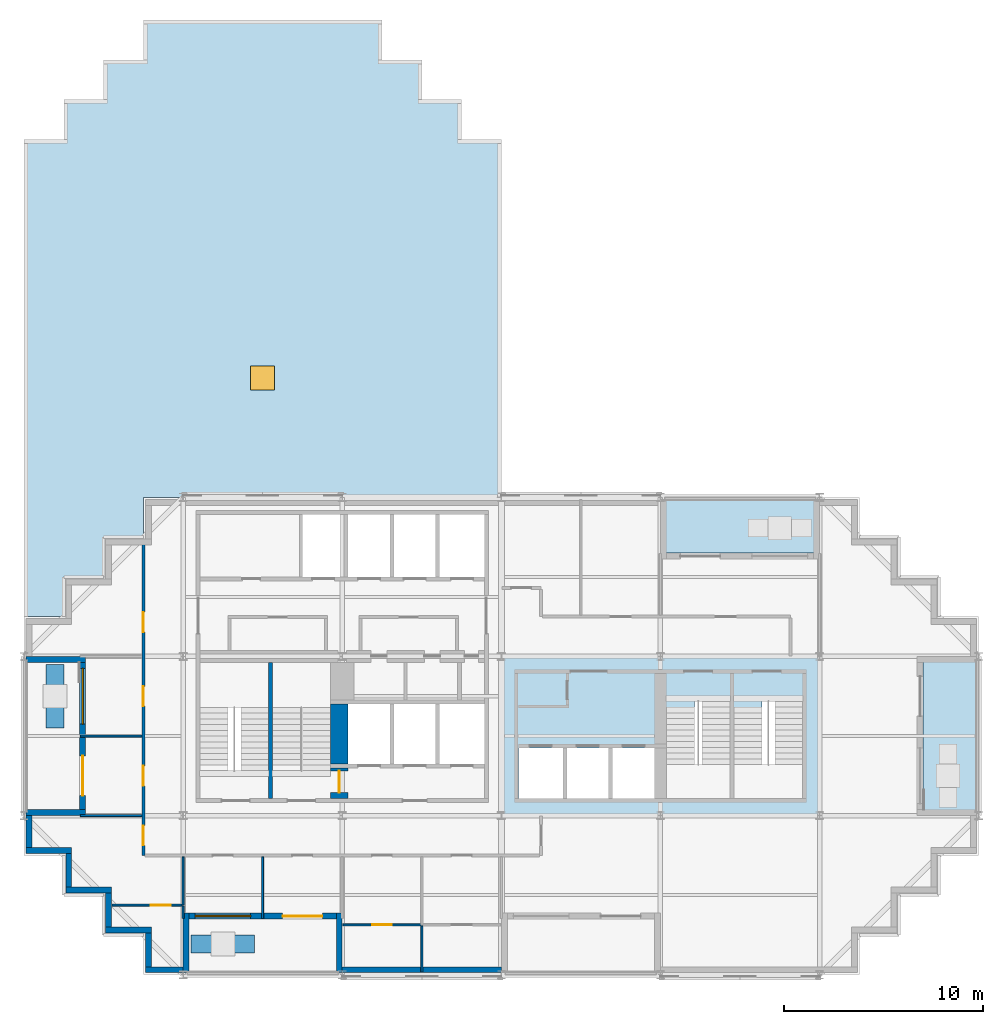
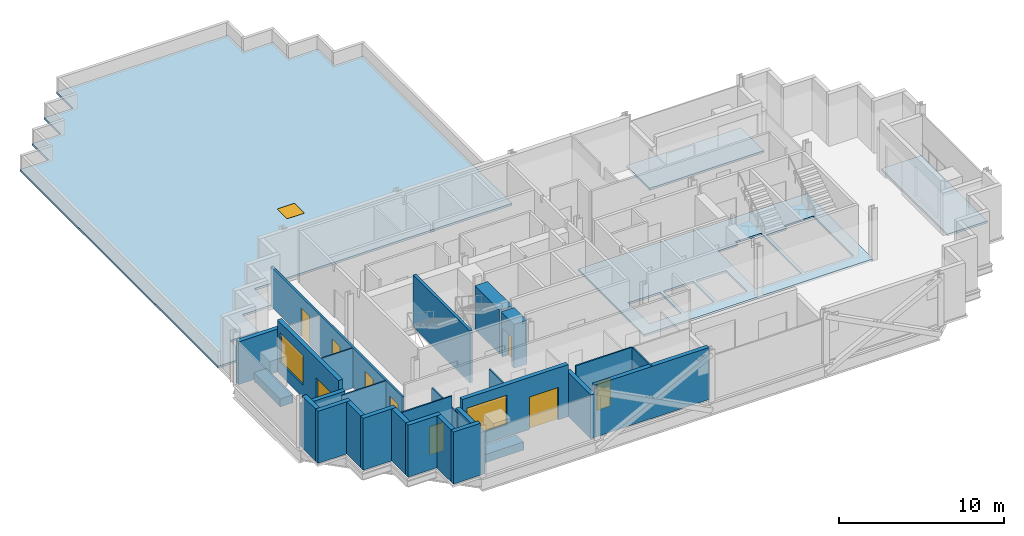
# One storey, part 2 of 9: 29 walls, 9 doors, 4 slabs, 3 windows, 12 openings.
"""IFC4 building model written with IfcOpenShell, lengths in metres."""

from ifc_helpers import new_model, si_unit, direction, frame, frame_2d, origin, origin_2d, place, context, subcontext, project, spatial, polyline, rectangle, outline, extrude, material, layer, layer_set, type_object, element, fill, save


model = new_model("IFC4")

# Units and contexts
model_context = context("Model", 3, precision=1e-05, world=origin(), true_north=direction((0.0, 1.0)))
body_context = subcontext(model_context, "Body", "Model", "MODEL_VIEW")
ifc_project = project(units=[si_unit("LENGTHUNIT", "METRE"), si_unit("AREAUNIT", "SQUARE_METRE"), si_unit("VOLUMEUNIT", "CUBIC_METRE"), si_unit("PLANEANGLEUNIT", "RADIAN"), si_unit("MASSUNIT", "GRAM", prefix="KILO")], contexts=[model_context])

# Site, building, storey
site_placement = place(None, origin())
site = spatial("IfcSite", under=ifc_project, at=site_placement, CompositionType="ELEMENT")
building_placement = place(site_placement, origin())
building = spatial("IfcBuilding", under=site, at=building_placement, Name="Immortelle Media Tower", CompositionType="ELEMENT")
storey_placement = place(building_placement, frame((0.0, 0.0, 189.0)))
storey = spatial("IfcBuildingStorey", under=building, at=storey_placement, Name="L39", CompositionType="ELEMENT", Elevation=189.0)

# Slabs
ifc_material_1 = material(Name="Concrete C50/60 composite deck", Category="concrete")
ifc_layer_1 = layer(ifc_material_1, 0.14990234375)
ifc_layer_set_1 = layer_set([ifc_layer_1], Name="Concrete C50/60 composite deck")
slab_type_1 = type_object("IfcSlabType", Name="Balcony slab 150", PredefinedType="FLOOR", material=ifc_layer_set_1)
slab_1_placement = place(storey_placement, frame((0.0, 0.0, -0.14990234375)))
element("IfcSlab", 1, at=slab_1_placement, inside=storey, type_object=slab_type_1, Name="Balcony slab L39 E0", PredefinedType="FLOOR", context=body_context, shape_type="SweptSolid", body=[
    extrude(outline(polyline([(48.0, 8.0), (48.0, 16.0), (45.199951171875, 16.0), (45.199951171875, 8.0), (48.0, 8.0)])), origin(), (0.0, 0.0, 1.0), 0.14990234375),
])
slab_2_placement = place(storey_placement, frame((0.0, 0.0, -0.14990234375)))
element("IfcSlab", 2, at=slab_2_placement, inside=storey, type_object=slab_type_1, Name="Balcony slab L39 N0", PredefinedType="FLOOR", context=body_context, shape_type="SweptSolid", body=[
    extrude(outline(polyline([(40.0, 21.199951171875), (40.0, 24.0), (32.0, 24.0), (32.0, 21.199951171875), (40.0, 21.199951171875)])), origin(), (0.0, 0.0, 1.0), 0.14990234375),
])
ifc_material_2 = material(Name="Concrete C50/60", Category="concrete")
ifc_layer_2 = layer(ifc_material_2, 0.14990234375)
ifc_layer_set_2 = layer_set([ifc_layer_2], Name="Concrete C50/60")
slab_type_2 = type_object("IfcSlabType", Name="Core floor slab 150", PredefinedType="FLOOR", material=ifc_layer_set_2)
slab_3_placement = place(storey_placement, frame((0.0, 0.0, -0.14990234375)))
element("IfcSlab", 3, at=slab_3_placement, inside=storey, type_object=slab_type_2, Name="Core floor SE", PredefinedType="FLOOR", context=body_context, shape_type="SweptSolid", body=[
    extrude(outline(polyline([(24.0, 8.0), (40.0, 8.0), (40.0, 16.0), (24.0, 16.0), (24.0, 8.0)]), holes=[polyline([(24.85009765625, 8.85009765625), (27.10009765625, 8.85009765625), (27.10009765625, 11.39990234375), (24.85009765625, 11.39990234375), (24.85009765625, 8.85009765625)]), polyline([(27.300048828125, 8.85009765625), (29.39990234375, 8.85009765625), (29.39990234375, 11.39990234375), (27.300048828125, 11.39990234375), (27.300048828125, 8.85009765625)]), polyline([(29.60009765625, 8.85009765625), (31.699951171875, 8.85009765625), (31.699951171875, 11.39990234375), (29.60009765625, 11.39990234375), (29.60009765625, 8.85009765625)]), polyline([(35.5, 13.72998046875), (35.5, 8.85009765625), (32.300048828125, 8.85009765625), (32.300048828125, 13.43994140625), (33.699951171875, 13.43994140625), (33.699951171875, 13.72998046875), (35.5, 13.72998046875)]), polyline([(39.14990234375, 13.72998046875), (39.14990234375, 8.85009765625), (35.699951171875, 8.85009765625), (35.699951171875, 13.43994140625), (37.10009765625, 13.43994140625), (37.10009765625, 13.72998046875), (39.14990234375, 13.72998046875)])]), origin(), (0.0, 0.0, 1.0), 0.14990234375),
])

# Slab, opening, window
ifc_layer_3 = layer(ifc_material_1, 0.14990234375)
ifc_layer_set_3 = layer_set([ifc_layer_3], Name="Concrete C50/60 composite deck")
slab_type_3 = type_object("IfcSlabType", Name="Terrace slab 150", PredefinedType="ROOF", material=ifc_layer_set_3)
slab_4_placement = place(storey_placement, frame((0.0, 0.0, -0.14990234375)))
slab_4 = element("IfcSlab", 4, at=slab_4_placement, inside=storey, type_object=slab_type_3, Name="Roof slab L39 NW0", PredefinedType="ROOF", context=body_context, shape_type="SweptSolid", body=[
    extrude(outline(polyline([(0.0, 42.0), (2.0, 42.0), (2.0, 44.0), (4.0, 44.0), (4.0, 46.0), (6.0, 46.0), (6.0, 48.0), (18.0, 48.0), (18.0, 46.0), (20.0, 46.0), (20.0, 44.0), (22.0, 44.0), (22.0, 42.0), (24.0, 42.0), (24.0, 24.001953125), (23.998046875, 24.001953125), (23.998046875, 24.0), (8.001953125, 24.0), (8.001953125, 24.001953125), (5.998046875, 24.001953125), (5.998046875, 22.001953125), (3.998046875, 22.001953125), (3.998046875, 20.001953125), (1.998046875, 20.001953125), (1.998046875, 18.001953125), (0.0, 18.001953125), (0.0, 24.0), (0.0, 42.0)]), holes=[polyline([(11.39990234375, 29.39990234375), (12.60009765625, 29.39990234375), (12.60009765625, 30.60009765625), (11.39990234375, 30.60009765625), (11.39990234375, 29.39990234375)])]), origin(), (0.0, 0.0, 1.0), 0.14990234375),
])
opening_1_placement = place(slab_4_placement, frame((12.0, 30.0, 0.0)))
opening_1 = element("IfcOpeningElement", 5, at=opening_1_placement, cuts=slab_4, Name="Opening RH1", PredefinedType="OPENING", context=body_context, shape_type="SweptSolid", body=[
    extrude(rectangle(XDim=1.199951171875, YDim=1.199951171875, at=origin_2d()), origin(), (0.0, 0.0, 1.0), 0.14990234375),
])
ifc_material_3 = material(Name="Aluminium frame, insulated lid", Category="aluminium")
window_type_1 = type_object("IfcWindowType", Name="Roof hatch 1200 x 1200", PartitioningType="SINGLE_PANEL", PredefinedType="SKYLIGHT", material=ifc_material_3)
window_1_placement = place(opening_1_placement, frame((0.0, 0.0, 0.099853515625)))
window_1 = element("IfcWindow", 6, at=window_1_placement, inside=storey, type_object=window_type_1, Name="Roof hatch L39 NW", OverallHeight=1.199951171875, OverallWidth=1.199951171875, PartitioningType="SINGLE_PANEL", PredefinedType="SKYLIGHT", context=body_context, shape_type="SweptSolid", body=[
    extrude(rectangle(XDim=1.199951171875, YDim=1.199951171875, at=origin_2d()), origin(), (0.0, 0.0, 1.0), 0.050048828125),
])
fill(opening_1, window_1)

# Wall, openings, doors
ifc_material_4 = material(Name="Fire-rated gypsum board", Category="gypsum")
ifc_layer_4 = layer(ifc_material_4, 0.012451171875)
ifc_material_5 = material(Name="Steel ASTM A653 SS Gr 50 stud frame with mineral wool", Category="steel")
ifc_layer_5 = layer(ifc_material_5, 0.125)
ifc_layer_6 = layer(ifc_material_4, 0.012451171875)
ifc_layer_set_4 = layer_set([ifc_layer_4, ifc_layer_5, ifc_layer_6], Name="Steel ASTM A653 SS Gr 50 stud frame with mineral wool")
wall_type_1 = type_object("IfcWallType", Name="Corridor wall 150", PredefinedType="PARTITIONING", material=ifc_layer_set_4)
wall_1_placement = place(storey_placement, frame((6.0, 6.0, 0.0), z_axis=(0.0, 0.0, 1.0), x_axis=(0.0, 1.0, 0.0)))
wall_1 = element("IfcWall", 7, at=wall_1_placement, inside=storey, type_object=wall_type_1, Name="Partition L39-012", PredefinedType="PARTITIONING", context=body_context, shape_type="SweptSolid", body=[
    extrude(rectangle(XDim=15.8701171875, YDim=0.14990234375, at=frame_2d((7.93505859375, 0.0))), origin(), (0.0, 0.0, 1.0), 2.93603515625),
])
opening_2_placement = place(wall_1_placement, frame((0.5, 0.0, 0.0)))
opening_2 = element("IfcOpeningElement", 8, at=opening_2_placement, cuts=wall_1, Name="Opening O1-F007", PredefinedType="OPENING", context=body_context, shape_type="SweptSolid", body=[
    extrude(rectangle(XDim=1.0, YDim=2.10009765625, at=frame_2d((0.5, 1.050048828125))), frame((0.0, 0.0849609375, 0.0), z_axis=(0.0, -1.0, 0.0), x_axis=(1.0, 0.0, 0.0)), (0.0, 0.0, 1.0), 0.169921875),
])
opening_3_placement = place(wall_1_placement, frame((3.5, 0.0, 0.0)))
opening_3 = element("IfcOpeningElement", 9, at=opening_3_placement, cuts=wall_1, Name="Opening O1-F010", PredefinedType="OPENING", context=body_context, shape_type="SweptSolid", body=[
    extrude(rectangle(XDim=1.0, YDim=2.10009765625, at=frame_2d((0.5, 1.050048828125))), frame((0.0, 0.0849609375, 0.0), z_axis=(0.0, -1.0, 0.0), x_axis=(1.0, 0.0, 0.0)), (0.0, 0.0, 1.0), 0.169921875),
])
opening_4_placement = place(wall_1_placement, frame((7.5, 0.0, 0.0)))
opening_4 = element("IfcOpeningElement", 10, at=opening_4_placement, cuts=wall_1, Name="Opening O1-F011", PredefinedType="OPENING", context=body_context, shape_type="SweptSolid", body=[
    extrude(rectangle(XDim=1.0, YDim=2.10009765625, at=frame_2d((0.5, 1.050048828125))), frame((0.0, 0.0849609375, 0.0), z_axis=(0.0, -1.0, 0.0), x_axis=(1.0, 0.0, 0.0)), (0.0, 0.0, 1.0), 0.169921875),
])
opening_5_placement = place(wall_1_placement, frame((11.22509765625, 0.0, 0.0)))
opening_5 = element("IfcOpeningElement", 11, at=opening_5_placement, cuts=wall_1, Name="Opening O1-F012", PredefinedType="OPENING", context=body_context, shape_type="SweptSolid", body=[
    extrude(rectangle(XDim=1.0, YDim=2.10009765625, at=frame_2d((0.5, 1.050048828125))), frame((0.0, 0.0849609375, 0.0), z_axis=(0.0, -1.0, 0.0), x_axis=(1.0, 0.0, 0.0)), (0.0, 0.0, 1.0), 0.169921875),
])
ifc_material_6 = material(Name="Timber veneered door leaf, galvanised steel frame ASTM A653", Category="steel")
door_type_1 = type_object("IfcDoorType", Name="Room door 1000 x 2100", OperationType="NOTDEFINED", PredefinedType="DOOR", material=ifc_material_6)
door_1_placement = place(opening_2_placement, origin())
door_1 = element("IfcDoor", 12, at=door_1_placement, inside=storey, type_object=door_type_1, Name="Door O1-F007", OperationType="SINGLE_SWING_RIGHT", OverallHeight=2.10009765625, OverallWidth=1.0, PredefinedType="DOOR", context=body_context, shape_type="SweptSolid", body=[
    extrude(rectangle(XDim=1.0, YDim=2.10009765625, at=frame_2d((0.5, 1.050048828125))), frame((0.0, 0.02490234375, 0.0), z_axis=(0.0, -1.0, 0.0), x_axis=(1.0, 0.0, 0.0)), (0.0, 0.0, 1.0), 0.050048828125),
])
fill(opening_2, door_1)
door_2_placement = place(opening_3_placement, origin())
door_2 = element("IfcDoor", 13, at=door_2_placement, inside=storey, type_object=door_type_1, Name="Door O1-F010", OperationType="SINGLE_SWING_RIGHT", OverallHeight=2.10009765625, OverallWidth=1.0, PredefinedType="DOOR", context=body_context, shape_type="SweptSolid", body=[
    extrude(rectangle(XDim=1.0, YDim=2.10009765625, at=frame_2d((0.5, 1.050048828125))), frame((0.0, 0.02490234375, 0.0), z_axis=(0.0, -1.0, 0.0), x_axis=(1.0, 0.0, 0.0)), (0.0, 0.0, 1.0), 0.050048828125),
])
fill(opening_3, door_2)
door_3_placement = place(opening_4_placement, origin())
door_3 = element("IfcDoor", 14, at=door_3_placement, inside=storey, type_object=door_type_1, Name="Door O1-F011", OperationType="SINGLE_SWING_RIGHT", OverallHeight=2.10009765625, OverallWidth=1.0, PredefinedType="DOOR", context=body_context, shape_type="SweptSolid", body=[
    extrude(rectangle(XDim=1.0, YDim=2.10009765625, at=frame_2d((0.5, 1.050048828125))), frame((0.0, 0.02490234375, 0.0), z_axis=(0.0, -1.0, 0.0), x_axis=(1.0, 0.0, 0.0)), (0.0, 0.0, 1.0), 0.050048828125),
])
fill(opening_4, door_3)
door_4_placement = place(opening_5_placement, origin())
door_4 = element("IfcDoor", 15, at=door_4_placement, inside=storey, type_object=door_type_1, Name="Door O1-F012", OperationType="SINGLE_SWING_LEFT", OverallHeight=2.10009765625, OverallWidth=1.0, PredefinedType="DOOR", context=body_context, shape_type="SweptSolid", body=[
    extrude(rectangle(XDim=1.0, YDim=2.10009765625, at=frame_2d((0.5, 1.050048828125))), frame((0.0, 0.02490234375, 0.0), z_axis=(0.0, -1.0, 0.0), x_axis=(1.0, 0.0, 0.0)), (0.0, 0.0, 1.0), 0.050048828125),
])
fill(opening_5, door_4)

# Walls
ifc_material_7 = material(Name="Pale aluminium cladding panel", Category="aluminium")
ifc_layer_7 = layer(ifc_material_7, 0.030029296875)
ifc_layer_8 = layer(ifc_material_5, 0.257568359375)
ifc_material_8 = material(Name="Moisture-resistant gypsum board", Category="gypsum")
ifc_layer_9 = layer(ifc_material_8, 0.012451171875)
ifc_layer_set_5 = layer_set([ifc_layer_7, ifc_layer_8, ifc_layer_9], Name="Steel ASTM A653 SS Gr 50 stud frame with mineral wool")
wall_type_2 = type_object("IfcWallType", Name="Facade wall 300", PredefinedType="SOLIDWALL", material=ifc_layer_set_5)
wall_2_placement = place(storey_placement, frame((0.10009765625, 6.25, 0.0), z_axis=(0.0, 0.0, 1.0), x_axis=(1.0, 0.0, 0.0)))
element("IfcWall", 16, at=wall_2_placement, inside=storey, type_object=wall_type_2, Name="Facade wall L39 S0", PredefinedType="SOLIDWALL", context=body_context, shape_type="SweptSolid", body=[
    extrude(rectangle(XDim=2.2998046875, YDim=0.300048828125, at=frame_2d((1.14990234375, 0.0))), origin(), (0.0, 0.0, 1.0), 3.85009765625),
])
wall_3_placement = place(storey_placement, frame((2.25, 6.10009765625, 0.0), z_axis=(0.0, 0.0, 1.0), x_axis=(0.0, -1.0, 0.0)))
element("IfcWall", 17, at=wall_3_placement, inside=storey, type_object=wall_type_2, Name="Facade wall L39 W1", PredefinedType="SOLIDWALL", context=body_context, shape_type="SweptSolid", body=[
    extrude(rectangle(XDim=1.7001953125, YDim=0.300048828125, at=frame_2d((0.85009765625, 0.0))), origin(), (0.0, 0.0, 1.0), 3.85009765625),
])
wall_4_placement = place(storey_placement, frame((2.10009765625, 4.25, 0.0), z_axis=(0.0, 0.0, 1.0), x_axis=(1.0, 0.0, 0.0)))
element("IfcWall", 18, at=wall_4_placement, inside=storey, type_object=wall_type_2, Name="Facade wall L39 S2", PredefinedType="SOLIDWALL", context=body_context, shape_type="SweptSolid", body=[
    extrude(rectangle(XDim=2.2998046875, YDim=0.300048828125, at=frame_2d((1.14990234375, 0.0))), origin(), (0.0, 0.0, 1.0), 3.85009765625),
])
wall_5_placement = place(storey_placement, frame((4.25, 4.10009765625, 0.0), z_axis=(0.0, 0.0, 1.0), x_axis=(0.0, -1.0, 0.0)))
element("IfcWall", 19, at=wall_5_placement, inside=storey, type_object=wall_type_2, Name="Facade wall L39 W3", PredefinedType="SOLIDWALL", context=body_context, shape_type="SweptSolid", body=[
    extrude(rectangle(XDim=1.7001953125, YDim=0.300048828125, at=frame_2d((0.85009765625, 0.0))), origin(), (0.0, 0.0, 1.0), 3.85009765625),
])
wall_6_placement = place(storey_placement, frame((4.10009765625, 2.25, 0.0), z_axis=(0.0, 0.0, 1.0), x_axis=(1.0, 0.0, 0.0)))
element("IfcWall", 20, at=wall_6_placement, inside=storey, type_object=wall_type_2, Name="Facade wall L39 S4", PredefinedType="SOLIDWALL", context=body_context, shape_type="SweptSolid", body=[
    extrude(rectangle(XDim=2.2998046875, YDim=0.300048828125, at=frame_2d((1.14990234375, 0.0))), origin(), (0.0, 0.0, 1.0), 3.85009765625),
])
wall_7_placement = place(storey_placement, frame((6.25, 2.10009765625, 0.0), z_axis=(0.0, 0.0, 1.0), x_axis=(0.0, -1.0, 0.0)))
element("IfcWall", 21, at=wall_7_placement, inside=storey, type_object=wall_type_2, Name="Facade wall L39 W5", PredefinedType="SOLIDWALL", context=body_context, shape_type="SweptSolid", body=[
    extrude(rectangle(XDim=1.7001953125, YDim=0.300048828125, at=frame_2d((0.85009765625, 0.0))), origin(), (0.0, 0.0, 1.0), 3.85009765625),
])
wall_8_placement = place(storey_placement, frame((6.10009765625, 0.25, 0.0), z_axis=(0.0, 0.0, 1.0), x_axis=(1.0, 0.0, 0.0)))
element("IfcWall", 22, at=wall_8_placement, inside=storey, type_object=wall_type_2, Name="Facade wall L39 S6", PredefinedType="SOLIDWALL", context=body_context, shape_type="SweptSolid", body=[
    extrude(rectangle(XDim=1.89990234375, YDim=0.300048828125, at=frame_2d((0.949951171875, 0.0))), origin(), (0.0, 0.0, 1.0), 3.85009765625),
])

# Wall, openings, door, window
wall_9_placement = place(storey_placement, frame((8.300048828125, 2.949951171875, 0.0), z_axis=(0.0, 0.0, 1.0), x_axis=(1.0, 0.0, 0.0)))
wall_9 = element("IfcWall", 23, at=wall_9_placement, inside=storey, type_object=wall_type_2, Name="Loggia wall L39 S6", PredefinedType="SOLIDWALL", context=body_context, shape_type="SweptSolid", body=[
    extrude(rectangle(XDim=7.39990234375, YDim=0.300048828125, at=frame_2d((3.699951171875, 0.0))), origin(), (0.0, 0.0, 1.0), 3.85009765625),
])
opening_6_placement = place(wall_9_placement, frame((0.300048828125, 0.0, 0.89990234375)))
opening_6 = element("IfcOpeningElement", 24, at=opening_6_placement, cuts=wall_9, Name="Opening W1", PredefinedType="OPENING", context=body_context, shape_type="SweptSolid", body=[
    extrude(rectangle(XDim=2.800048828125, YDim=2.199951171875, at=frame_2d((1.39990234375, 1.10009765625))), frame((0.0, 0.159912109375, 0.0), z_axis=(0.0, -1.0, 0.0), x_axis=(1.0, 0.0, 0.0)), (0.0, 0.0, 1.0), 0.320068359375),
])
opening_7_placement = place(wall_9_placement, frame((4.699951171875, 0.0, 0.0)))
opening_7 = element("IfcOpeningElement", 25, at=opening_7_placement, cuts=wall_9, Name="Opening O1-E001", PredefinedType="OPENING", context=body_context, shape_type="SweptSolid", body=[
    extrude(rectangle(XDim=2.0, YDim=2.39990234375, at=frame_2d((1.0, 1.199951171875))), frame((0.0, 0.159912109375, 0.0), z_axis=(0.0, -1.0, 0.0), x_axis=(1.0, 0.0, 0.0)), (0.0, 0.0, 1.0), 0.320068359375),
])
ifc_material_9 = material(Name="Aluminium frame, glazed leaves", Category="aluminium")
door_type_2 = type_object("IfcDoorType", Name="Loggia door 2000 x 2400", OperationType="DOUBLE_DOOR_SINGLE_SWING", PredefinedType="DOOR", material=ifc_material_9)
door_5_placement = place(opening_7_placement, origin())
door_5 = element("IfcDoor", 26, at=door_5_placement, inside=storey, type_object=door_type_2, Name="Door O1-E001", OperationType="DOUBLE_DOOR_SINGLE_SWING", OverallHeight=2.39990234375, OverallWidth=2.0, PredefinedType="DOOR", context=body_context, shape_type="SweptSolid", body=[
    extrude(rectangle(XDim=2.0, YDim=2.39990234375, at=frame_2d((1.0, 1.199951171875))), frame((0.0, 0.02490234375, 0.0), z_axis=(0.0, -1.0, 0.0), x_axis=(1.0, 0.0, 0.0)), (0.0, 0.0, 1.0), 0.050048828125),
])
fill(opening_7, door_5)
ifc_material_10 = material(Name="Aluminium frame", Category="aluminium")
window_type_2 = type_object("IfcWindowType", Name="Window 2800 x 2200", PartitioningType="SINGLE_PANEL", PredefinedType="WINDOW", material=ifc_material_10)
window_2_placement = place(opening_6_placement, origin())
window_2 = element("IfcWindow", 27, at=window_2_placement, inside=storey, type_object=window_type_2, Name="Window L39 L39-R6-B0", OverallHeight=2.199951171875, OverallWidth=2.800048828125, PartitioningType="SINGLE_PANEL", PredefinedType="WINDOW", context=body_context, shape_type="SweptSolid", body=[
    extrude(rectangle(XDim=2.800048828125, YDim=2.199951171875, at=frame_2d((1.39990234375, 1.10009765625))), frame((0.0, 0.030029296875, 0.0), z_axis=(0.0, -1.0, 0.0), x_axis=(1.0, 0.0, 0.0)), (0.0, 0.0, 1.0), 0.06005859375),
])
fill(opening_6, window_2)

# Walls
wall_10_placement = place(storey_placement, frame((8.14990234375, 0.10009765625, 0.0), z_axis=(0.0, 0.0, 1.0), x_axis=(0.0, 1.0, 0.0)))
element("IfcWall", 28, at=wall_10_placement, inside=storey, type_object=wall_type_2, Name="Loggia cheek wall L39 S", PredefinedType="SOLIDWALL", context=body_context, shape_type="SweptSolid", body=[
    extrude(rectangle(XDim=3.0, YDim=0.300048828125, at=frame_2d((1.5, 0.0))), origin(), (0.0, 0.0, 1.0), 3.156005859375),
])
wall_11_placement = place(storey_placement, frame((15.85009765625, 0.10009765625, 0.0), z_axis=(0.0, 0.0, 1.0), x_axis=(0.0, 1.0, 0.0)))
element("IfcWall", 29, at=wall_11_placement, inside=storey, type_object=wall_type_2, Name="Loggia cheek wall L39 S", PredefinedType="SOLIDWALL", context=body_context, shape_type="SweptSolid", body=[
    extrude(rectangle(XDim=3.0, YDim=0.300048828125, at=frame_2d((1.5, 0.0))), origin(), (0.0, 0.0, 1.0), 3.237060546875),
])
wall_12_placement = place(storey_placement, frame((16.0, 0.25, 0.0), z_axis=(0.0, 0.0, 1.0), x_axis=(1.0, 0.0, 0.0)))
element("IfcWall", 30, at=wall_12_placement, inside=storey, type_object=wall_type_2, Name="Facade wall L39 S6", PredefinedType="SOLIDWALL", context=body_context, shape_type="SweptSolid", body=[
    extrude(rectangle(XDim=8.0, YDim=0.300048828125, at=frame_2d((4.0, 0.0))), origin(), (0.0, 0.0, 1.0), 3.85009765625),
])

# Wall, openings, door, window
wall_13_placement = place(storey_placement, frame((2.949951171875, 15.699951171875, 0.0), z_axis=(0.0, 0.0, 1.0), x_axis=(0.0, -1.0, 0.0)))
wall_13 = element("IfcWall", 31, at=wall_13_placement, inside=storey, type_object=wall_type_2, Name="Loggia wall L39 W27", PredefinedType="SOLIDWALL", context=body_context, shape_type="SweptSolid", body=[
    extrude(rectangle(XDim=7.39990234375, YDim=0.300048828125, at=frame_2d((3.699951171875, 0.0))), origin(), (0.0, 0.0, 1.0), 3.85009765625),
])
opening_8_placement = place(wall_13_placement, frame((0.300048828125, 0.0, 0.89990234375)))
opening_8 = element("IfcOpeningElement", 32, at=opening_8_placement, cuts=wall_13, Name="Opening W1", PredefinedType="OPENING", context=body_context, shape_type="SweptSolid", body=[
    extrude(rectangle(XDim=2.800048828125, YDim=2.199951171875, at=frame_2d((1.39990234375, 1.10009765625))), frame((0.0, 0.159912109375, 0.0), z_axis=(0.0, -1.0, 0.0), x_axis=(1.0, 0.0, 0.0)), (0.0, 0.0, 1.0), 0.320068359375),
])
opening_9_placement = place(wall_13_placement, frame((4.699951171875, 0.0, 0.0)))
opening_9 = element("IfcOpeningElement", 33, at=opening_9_placement, cuts=wall_13, Name="Opening O1-E006", PredefinedType="OPENING", context=body_context, shape_type="SweptSolid", body=[
    extrude(rectangle(XDim=2.0, YDim=2.39990234375, at=frame_2d((1.0, 1.199951171875))), frame((0.0, 0.159912109375, 0.0), z_axis=(0.0, -1.0, 0.0), x_axis=(1.0, 0.0, 0.0)), (0.0, 0.0, 1.0), 0.320068359375),
])
door_6_placement = place(opening_9_placement, origin())
door_6 = element("IfcDoor", 34, at=door_6_placement, inside=storey, type_object=door_type_2, Name="Door O1-E006", OperationType="DOUBLE_DOOR_SINGLE_SWING", OverallHeight=2.39990234375, OverallWidth=2.0, PredefinedType="DOOR", context=body_context, shape_type="SweptSolid", body=[
    extrude(rectangle(XDim=2.0, YDim=2.39990234375, at=frame_2d((1.0, 1.199951171875))), frame((0.0, 0.02490234375, 0.0), z_axis=(0.0, -1.0, 0.0), x_axis=(1.0, 0.0, 0.0)), (0.0, 0.0, 1.0), 0.050048828125),
])
fill(opening_9, door_6)
window_3_placement = place(opening_8_placement, origin())
window_3 = element("IfcWindow", 35, at=window_3_placement, inside=storey, type_object=window_type_2, Name="Window L39 L39-R27-B0", OverallHeight=2.199951171875, OverallWidth=2.800048828125, PartitioningType="SINGLE_PANEL", PredefinedType="WINDOW", context=body_context, shape_type="SweptSolid", body=[
    extrude(rectangle(XDim=2.800048828125, YDim=2.199951171875, at=frame_2d((1.39990234375, 1.10009765625))), frame((0.0, 0.030029296875, 0.0), z_axis=(0.0, -1.0, 0.0), x_axis=(1.0, 0.0, 0.0)), (0.0, 0.0, 1.0), 0.06005859375),
])
fill(opening_8, window_3)

# Walls
for number, where, z_axis, x_axis, name in (
    (36, (0.10009765625, 15.85009765625, 0.0), (0.0, 0.0, 1.0), (1.0, 0.0, 0.0), "Loggia cheek wall L39 W"),
    (37, (0.10009765625, 8.14990234375, 0.0), (0.0, 0.0, 1.0), (1.0, 0.0, 0.0), "Loggia cheek wall L39 W"),
):
    element("IfcWall", number, at=place(storey_placement, frame(where, z_axis=z_axis, x_axis=x_axis)), inside=storey, type_object=wall_type_2, Name=name, PredefinedType="SOLIDWALL", context=body_context, shape_type="SweptSolid", body=[
        extrude(rectangle(XDim=3.0, YDim=0.300048828125, at=frame_2d((1.5, 0.0))), origin(), (0.0, 0.0, 1.0), 3.156005859375),
    ])
wall_14_placement = place(storey_placement, frame((0.25, 8.0, 0.0), z_axis=(0.0, 0.0, 1.0), x_axis=(0.0, -1.0, 0.0)))
element("IfcWall", 38, at=wall_14_placement, inside=storey, type_object=wall_type_2, Name="Facade wall L39 W27", PredefinedType="SOLIDWALL", context=body_context, shape_type="SweptSolid", body=[
    extrude(rectangle(XDim=1.60009765625, YDim=0.300048828125, at=frame_2d((0.800048828125, 0.0))), origin(), (0.0, 0.0, 1.0), 3.85009765625),
])
ifc_material_11 = material(Name="Gypsum board", Category="gypsum")
ifc_layer_10 = layer(ifc_material_11, 0.012451171875)
ifc_layer_11 = layer(ifc_material_5, 0.074951171875)
ifc_layer_12 = layer(ifc_material_11, 0.012451171875)
ifc_layer_set_6 = layer_set([ifc_layer_10, ifc_layer_11, ifc_layer_12], Name="Steel ASTM A653 SS Gr 50 stud frame with mineral wool")
wall_type_3 = type_object("IfcWallType", Name="Partition 100", PredefinedType="PARTITIONING", material=ifc_layer_set_6)
wall_15_placement = place(storey_placement, frame((20.0, 0.1298828125, 0.0), z_axis=(0.0, 0.0, 1.0), x_axis=(0.0, 1.0, 0.0)))
element("IfcWall", 39, at=wall_15_placement, inside=storey, type_object=wall_type_3, Name="Partition L39-001", PredefinedType="PARTITIONING", context=body_context, shape_type="SweptSolid", body=[
    extrude(rectangle(XDim=2.320068359375, YDim=0.10009765625, at=frame_2d((1.16015625, 0.0))), origin(), (0.0, 0.0, 1.0), 3.85009765625),
])

# Wall, opening, door
wall_16_placement = place(storey_placement, frame((16.030029296875, 2.5, 0.0), z_axis=(0.0, 0.0, 1.0), x_axis=(1.0, 0.0, 0.0)))
wall_16 = element("IfcWall", 40, at=wall_16_placement, inside=storey, type_object=wall_type_3, Name="Partition L39-002", PredefinedType="PARTITIONING", context=body_context, shape_type="SweptSolid", body=[
    extrude(rectangle(XDim=3.919921875, YDim=0.10009765625, at=frame_2d((1.9599609375, 0.0))), origin(), (0.0, 0.0, 1.0), 3.85009765625),
])
opening_10_placement = place(wall_16_placement, frame((2.469970703125, 0.0, 0.0), z_axis=(0.0, 0.0, 1.0), x_axis=(-1.0, 0.0, 0.0)))
opening_10 = element("IfcOpeningElement", 41, at=opening_10_placement, cuts=wall_16, Name="Opening O1-F002", PredefinedType="OPENING", context=body_context, shape_type="SweptSolid", body=[
    extrude(rectangle(XDim=1.0, YDim=2.10009765625, at=frame_2d((0.5, 1.050048828125))), frame((0.0, 0.06005859375, 0.0), z_axis=(0.0, -1.0, 0.0), x_axis=(1.0, 0.0, 0.0)), (0.0, 0.0, 1.0), 0.1201171875),
])
door_7_placement = place(opening_10_placement, origin())
door_7 = element("IfcDoor", 42, at=door_7_placement, inside=storey, type_object=door_type_1, Name="Door O1-F002", OperationType="SINGLE_SWING_LEFT", OverallHeight=2.10009765625, OverallWidth=1.0, PredefinedType="DOOR", context=body_context, shape_type="SweptSolid", body=[
    extrude(rectangle(XDim=1.0, YDim=2.10009765625, at=frame_2d((0.5, 1.050048828125))), frame((0.0, 0.02490234375, 0.0), z_axis=(0.0, -1.0, 0.0), x_axis=(1.0, 0.0, 0.0)), (0.0, 0.0, 1.0), 0.050048828125),
])
fill(opening_10, door_7)

# Walls
wall_17_placement = place(storey_placement, frame((8.0, 2.830078125, 0.0), z_axis=(0.0, 0.0, 1.0), x_axis=(0.0, 1.0, 0.0)))
element("IfcWall", 43, at=wall_17_placement, inside=storey, type_object=wall_type_3, Name="Partition L39-005", PredefinedType="PARTITIONING", context=body_context, shape_type="SweptSolid", body=[
    extrude(rectangle(XDim=0.619873046875, YDim=0.10009765625, at=frame_2d((0.31005859375, 0.0))), origin(), (0.0, 0.0, 1.0), 2.93603515625),
])
wall_18_placement = place(storey_placement, frame((12.0, 2.830078125, 0.0), z_axis=(0.0, 0.0, 1.0), x_axis=(0.0, 1.0, 0.0)))
element("IfcWall", 44, at=wall_18_placement, inside=storey, type_object=wall_type_3, Name="Partition L39-006", PredefinedType="PARTITIONING", context=body_context, shape_type="SweptSolid", body=[
    extrude(rectangle(XDim=3.094970703125, YDim=0.10009765625, at=frame_2d((1.54736328125, 0.0))), origin(), (0.0, 0.0, 1.0), 2.93603515625),
])

# Wall, opening, door
wall_19_placement = place(storey_placement, frame((4.429931640625, 3.5, 0.0), z_axis=(0.0, 0.0, 1.0), x_axis=(1.0, 0.0, 0.0)))
wall_19 = element("IfcWall", 45, at=wall_19_placement, inside=storey, type_object=wall_type_3, Name="Partition L39-009", PredefinedType="PARTITIONING", context=body_context, shape_type="SweptSolid", body=[
    extrude(rectangle(XDim=3.52001953125, YDim=0.10009765625, at=frame_2d((1.760009765625, 0.0))), origin(), (0.0, 0.0, 1.0), 3.85009765625),
])
opening_11_placement = place(wall_19_placement, frame((2.949951171875, 0.0, 0.0), z_axis=(0.0, 0.0, 1.0), x_axis=(-1.0, 0.0, 0.0)))
opening_11 = element("IfcOpeningElement", 46, at=opening_11_placement, cuts=wall_19, Name="Opening O1-F008", PredefinedType="OPENING", context=body_context, shape_type="SweptSolid", body=[
    extrude(rectangle(XDim=1.0, YDim=2.10009765625, at=frame_2d((0.5, 1.050048828125))), frame((0.0, 0.06005859375, 0.0), z_axis=(0.0, -1.0, 0.0), x_axis=(1.0, 0.0, 0.0)), (0.0, 0.0, 1.0), 0.1201171875),
])
door_8_placement = place(opening_11_placement, origin())
door_8 = element("IfcDoor", 47, at=door_8_placement, inside=storey, type_object=door_type_1, Name="Door O1-F008", OperationType="SINGLE_SWING_LEFT", OverallHeight=2.10009765625, OverallWidth=1.0, PredefinedType="DOOR", context=body_context, shape_type="SweptSolid", body=[
    extrude(rectangle(XDim=1.0, YDim=2.10009765625, at=frame_2d((0.5, 1.050048828125))), frame((0.0, 0.02490234375, 0.0), z_axis=(0.0, -1.0, 0.0), x_axis=(1.0, 0.0, 0.0)), (0.0, 0.0, 1.0), 0.050048828125),
])
fill(opening_11, door_8)

# Walls
wall_20_placement = place(storey_placement, frame((8.0, 3.5, 0.0), z_axis=(0.0, 0.0, 1.0), x_axis=(0.0, 1.0, 0.0)))
element("IfcWall", 48, at=wall_20_placement, inside=storey, type_object=wall_type_3, Name="Partition L39-010", PredefinedType="PARTITIONING", context=body_context, shape_type="SweptSolid", body=[
    extrude(rectangle(XDim=2.425048828125, YDim=0.10009765625, at=frame_2d((1.21240234375, 0.0))), origin(), (0.0, 0.0, 1.0), 2.93603515625),
])
for number, where, z_axis, x_axis, name in (
    (49, (2.830078125, 8.0, 0.0), (0.0, 0.0, 1.0), (1.0, 0.0, 0.0), "Partition L39-014"),
    (50, (2.830078125, 12.0, 0.0), (0.0, 0.0, 1.0), (1.0, 0.0, 0.0), "Partition L39-015"),
):
    element("IfcWall", number, at=place(storey_placement, frame(where, z_axis=z_axis, x_axis=x_axis)), inside=storey, type_object=wall_type_3, Name=name, PredefinedType="PARTITIONING", context=body_context, shape_type="SweptSolid", body=[
        extrude(rectangle(XDim=3.094970703125, YDim=0.10009765625, at=frame_2d((1.54736328125, 0.0))), origin(), (0.0, 0.0, 1.0), 2.93603515625),
    ])
ifc_layer_13 = layer(ifc_material_7, 0.0029296875)
ifc_material_12 = material(Name="Steel ASTM A572 Gr 50 planter shell", Category="steel")
ifc_layer_14 = layer(ifc_material_12, 0.011962890625)
ifc_material_13 = material(Name="Planting substrate", Category="soil")
ifc_layer_15 = layer(ifc_material_13, 0.873046875)
ifc_layer_16 = layer(ifc_material_12, 0.011962890625)
ifc_layer_set_7 = layer_set([ifc_layer_13, ifc_layer_14, ifc_layer_15, ifc_layer_16], Name="Steel ASTM A572 Gr 50 planter shell")
wall_type_4 = type_object("IfcWallType", Name="Planter wall 900", PredefinedType="SOLIDWALL", material=ifc_layer_set_7)
for number, where, z_axis, x_axis, name in (
    (51, (8.39990234375, 1.550048828125, 0.0), (0.0, 0.0, 1.0), (1.0, 0.0, 0.0), "Planter L39 S0"),
    (52, (1.550048828125, 15.60009765625, 0.0), (0.0, 0.0, 1.0), (0.0, -1.0, 0.0), "Planter L39 W0"),
):
    element("IfcWall", number, at=place(storey_placement, frame(where, z_axis=z_axis, x_axis=x_axis)), inside=storey, type_object=wall_type_4, Name=name, PredefinedType="SOLIDWALL", context=body_context, shape_type="SweptSolid", body=[
        extrude(rectangle(XDim=3.2001953125, YDim=0.89990234375, at=frame_2d((1.60009765625, 0.0))), origin(), (0.0, 0.0, 1.0), 0.60009765625),
    ])
ifc_material_14 = material(Name="Concrete C60", Category="concrete")
ifc_layer_17 = layer(ifc_material_14, 0.199951171875)
ifc_layer_set_8 = layer_set([ifc_layer_17], Name="Concrete C60")
wall_type_5 = type_object("IfcWallType", Name="Stair shaft wall 200", PredefinedType="PARTITIONING", material=ifc_layer_set_8)
wall_21_placement = place(storey_placement, frame((12.39990234375, 8.85009765625, 0.0), z_axis=(0.0, 0.0, 1.0), x_axis=(0.0, 1.0, 0.0)))
element("IfcWall", 53, at=wall_21_placement, inside=storey, type_object=wall_type_5, Name="Stair shaft wall SW", PredefinedType="PARTITIONING", context=body_context, shape_type="SweptSolid", body=[
    extrude(rectangle(XDim=6.849853515625, YDim=0.199951171875, at=frame_2d((3.4248046875, 0.0))), origin(), (0.0, 0.0, 1.0), 3.85009765625),
])

# Wall, opening, door
ifc_layer_18 = layer(ifc_material_14, 0.89990234375)
ifc_layer_set_9 = layer_set([ifc_layer_18], Name="Concrete C60")
wall_type_6 = type_object("IfcWallType", Name="Stair shaft wall 900", PredefinedType="PARTITIONING", material=ifc_layer_set_9)
wall_22_placement = place(storey_placement, frame((15.85009765625, 8.85009765625, 0.0), z_axis=(0.0, 0.0, 1.0), x_axis=(0.0, 1.0, 0.0)))
wall_22 = element("IfcWall", 54, at=wall_22_placement, inside=storey, type_object=wall_type_6, Name="Stair shaft wall SW", PredefinedType="PARTITIONING", context=body_context, shape_type="SweptSolid", body=[
    extrude(rectangle(XDim=1.5498046875, YDim=0.89990234375, at=frame_2d((0.77490234375, 0.0))), origin(), (0.0, 0.0, 1.0), 3.241943359375),
])
opening_12_placement = place(wall_22_placement, frame((0.300048828125, 0.0, 0.0)))
opening_12 = element("IfcOpeningElement", 55, at=opening_12_placement, cuts=wall_22, Name="Opening O1-K007", PredefinedType="OPENING", context=body_context, shape_type="SweptSolid", body=[
    extrude(rectangle(XDim=1.10009765625, YDim=2.10009765625, at=frame_2d((0.550048828125, 1.050048828125))), frame((0.0, 0.4599609375, 0.0), z_axis=(0.0, -1.0, 0.0), x_axis=(1.0, 0.0, 0.0)), (0.0, 0.0, 1.0), 0.919921875),
])
ifc_material_15 = material(Name="Galvanised steel door leaf and frame ASTM A653", Category="steel")
door_type_3 = type_object("IfcDoorType", Name="Stair lobby door 1100 x 2100", OperationType="NOTDEFINED", PredefinedType="NOTDEFINED", material=ifc_material_15)
door_9_placement = place(opening_12_placement, origin())
door_9 = element("IfcDoor", 56, at=door_9_placement, inside=storey, type_object=door_type_3, Name="Stair lobby O1-K007", OperationType="SINGLE_SWING_LEFT", OverallHeight=2.10009765625, OverallWidth=1.10009765625, PredefinedType="NOTDEFINED", context=body_context, shape_type="SweptSolid", body=[
    extrude(rectangle(XDim=1.10009765625, YDim=2.10009765625, at=frame_2d((0.550048828125, 1.050048828125))), frame((0.0, 0.02490234375, 0.0), z_axis=(0.0, -1.0, 0.0), x_axis=(1.0, 0.0, 0.0)), (0.0, 0.0, 1.0), 0.050048828125),
])
fill(opening_12, door_9)

# Wall
wall_23_placement = place(storey_placement, frame((15.85009765625, 10.60009765625, 0.0), z_axis=(0.0, 0.0, 1.0), x_axis=(0.0, 1.0, 0.0)))
element("IfcWall", 57, at=wall_23_placement, inside=storey, type_object=wall_type_6, Name="Stair shaft wall SW", PredefinedType="PARTITIONING", context=body_context, shape_type="SweptSolid", body=[
    extrude(rectangle(XDim=3.0, YDim=0.89990234375, at=frame_2d((1.5, 0.0))), origin(), (0.0, 0.0, 1.0), 3.241943359375),
])

save(model, "model.ifc")
